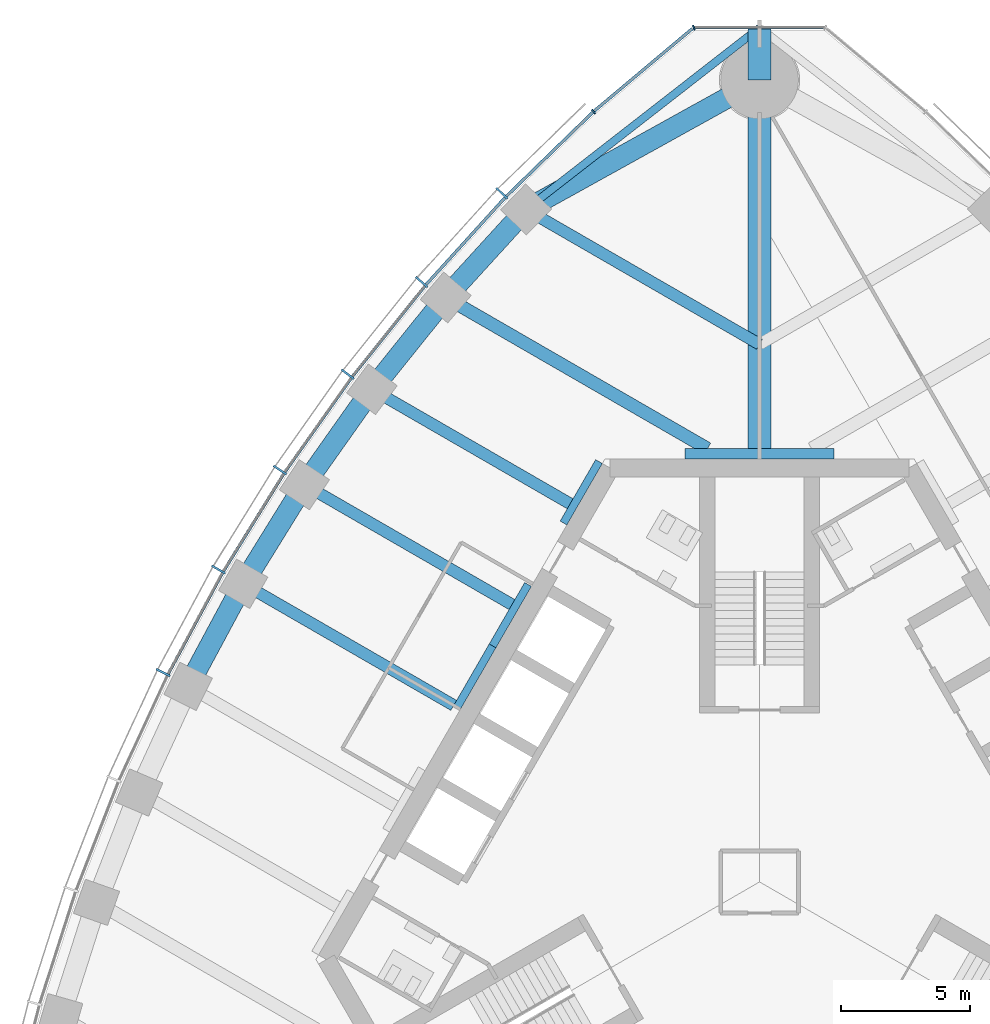
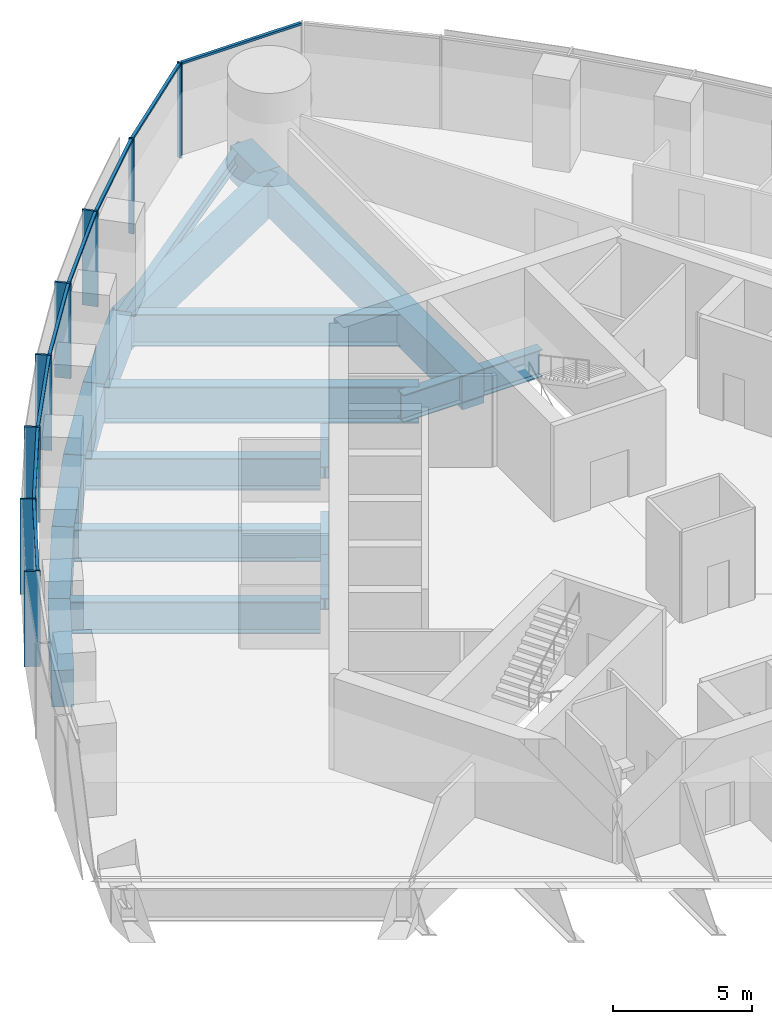
# One storey, part 5 of 15: 19 beams, 16 members, 2 elements without a shape of their own.
"""IFC4 building model written with IfcOpenShell, lengths in metres."""

from ifc_helpers import new_model, si_unit, direction, frame, origin, origin_2d, place, context, subcontext, project, spatial, rectangle, i_section, extrude, material, material_profile, profile_set, type_object, element, aggregate, save


model = new_model("IFC4")

# Units and contexts
model_context = context("Model", 3, precision=1e-05, world=origin(), true_north=direction((0.0, 1.0)))
body_context = subcontext(model_context, "Body", "Model", "MODEL_VIEW")
ifc_project = project(units=[si_unit("LENGTHUNIT", "METRE"), si_unit("AREAUNIT", "SQUARE_METRE"), si_unit("VOLUMEUNIT", "CUBIC_METRE"), si_unit("PLANEANGLEUNIT", "RADIAN"), si_unit("MASSUNIT", "GRAM", prefix="KILO")], contexts=[model_context])

# Site, building, storey
site_placement = place(None, origin())
site = spatial("IfcSite", under=ifc_project, at=site_placement, CompositionType="ELEMENT")
building_placement = place(site_placement, origin())
building = spatial("IfcBuilding", under=site, at=building_placement, Name="Trefoil Bronze Tower", CompositionType="ELEMENT")
storey_placement = place(building_placement, frame((0.0, 0.0, 276.300048828125)))
storey = spatial("IfcBuildingStorey", under=building, at=storey_placement, Name="L63", CompositionType="ELEMENT", Elevation=276.300048828125)

# Curtain wall, members
ifc_material_1 = material(Name="Tinted solar-control glass", Category="glass")
curtain_wall_type_1 = type_object("IfcCurtainWallType", Name="Bronze office curtain wall", PredefinedType="USERDEFINED", material=ifc_material_1)
curtain_wall_1_placement = place(storey_placement, origin())
curtain_wall_1 = element("IfcCurtainWall", 1, at=curtain_wall_1_placement, inside=storey, type_object=curtain_wall_type_1, Name="CW-A L63 F3", ObjectType="CURTAIN WALL", PredefinedType="USERDEFINED")
ifc_material_2 = material(Name="Bronze-finish aluminium", Category="aluminium")
ifc_material_profile_1 = material_profile(ifc_material_2, rectangle(XDim=0.60009765625, YDim=0.080078125, at=origin_2d()), Name="CW-A mullion")
ifc_profile_set_1 = profile_set([ifc_material_profile_1], Name="Bronze-finish aluminium")
member_type_1 = type_object("IfcMemberType", Name="Bronze office curtain wall mullion", PredefinedType="MULLION", material=ifc_profile_set_1)
member_1_placement = place(storey_placement, frame((-9.957275390625, 26.617431640625, 0.0), z_axis=(0.0, 0.0, 1.0), x_axis=(0.719001349715, -0.695008675564, 0.0)))
member_1 = element("IfcMember", 2, at=member_1_placement, type_object=member_type_1, Name="CW-A L63 F3 mullion 2", PredefinedType="MULLION", context=body_context, shape_type="SweptSolid", body=[
    extrude(rectangle(XDim=0.60009765625, YDim=0.080078125, at=origin_2d()), origin(), (0.0, 0.0, 1.0), 4.179931640625),
])
member_2_placement = place(storey_placement, frame((-13.064453125, 23.194091796875, 0.0), z_axis=(0.0, 0.0, 1.0), x_axis=(0.760781190165, -0.649008459646, 0.0)))
member_2 = element("IfcMember", 3, at=member_2_placement, type_object=member_type_1, Name="CW-A L63 F3 mullion 3", PredefinedType="MULLION", context=body_context, shape_type="SweptSolid", body=[
    extrude(rectangle(XDim=0.60009765625, YDim=0.080078125, at=origin_2d()), origin(), (0.0, 0.0, 1.0), 4.179931640625),
])
member_3_placement = place(storey_placement, frame((-15.922607421875, 19.627197265625, 0.0), z_axis=(0.0, 0.0, 1.0), x_axis=(0.799096076136, -0.601203344222, 0.0)))
member_3 = element("IfcMember", 4, at=member_3_placement, type_object=member_type_1, Name="CW-A L63 F3 mullion 4", PredefinedType="MULLION", context=body_context, shape_type="SweptSolid", body=[
    extrude(rectangle(XDim=0.60009765625, YDim=0.080078125, at=origin_2d()), origin(), (0.0, 0.0, 1.0), 4.179931640625),
])
member_4_placement = place(storey_placement, frame((-18.538330078125, 15.920166015625, 0.0), z_axis=(0.0, 0.0, 1.0), x_axis=(0.834159158089, -0.551523797289, 0.0)))
member_4 = element("IfcMember", 5, at=member_4_placement, type_object=member_type_1, Name="CW-A L63 F3 mullion 5", PredefinedType="MULLION", context=body_context, shape_type="SweptSolid", body=[
    extrude(rectangle(XDim=0.60009765625, YDim=0.080078125, at=origin_2d()), origin(), (0.0, 0.0, 1.0), 4.179931640625),
])
member_5_placement = place(storey_placement, frame((-20.916015625, 12.07568359375, 0.0), z_axis=(0.0, 0.0, 1.0), x_axis=(0.866025403784, -0.5, 0.0)))
member_5 = element("IfcMember", 6, at=member_5_placement, type_object=member_type_1, Name="CW-A L63 F3 mullion 6", PredefinedType="MULLION", context=body_context, shape_type="SweptSolid", body=[
    extrude(rectangle(XDim=0.60009765625, YDim=0.080078125, at=origin_2d()), origin(), (0.0, 0.0, 1.0), 4.179931640625),
])
member_6_placement = place(storey_placement, frame((-23.056396484375, 8.094482421875, 0.0), z_axis=(0.0, 0.0, 1.0), x_axis=(0.894713198289, -0.44664112306, 0.0)))
member_6 = element("IfcMember", 7, at=member_6_placement, type_object=member_type_1, Name="CW-A L63 F3 mullion 7", PredefinedType="MULLION", context=body_context, shape_type="SweptSolid", body=[
    extrude(rectangle(XDim=0.60009765625, YDim=0.080078125, at=origin_2d()), origin(), (0.0, 0.0, 1.0), 4.179931640625),
])
ifc_material_3 = material(Name="Bronze-finish aluminium", Category="aluminium")
ifc_material_profile_2 = material_profile(ifc_material_3, rectangle(XDim=0.1201171875, YDim=0.10009765625, at=origin_2d()), Name="CW-A transom")
ifc_profile_set_2 = profile_set([ifc_material_profile_2], Name="Bronze-finish aluminium")
member_type_2 = type_object("IfcMemberType", Name="Bronze office curtain wall transom", PredefinedType="USERDEFINED", material=ifc_profile_set_2)
member_7_placement = place(storey_placement, frame((-6.44921875, 29.7470703125, 4.1298828125), z_axis=(-0.717224617883, -0.696842053484, 0.0), x_axis=(0.696842053484, -0.717224617883, 0.0)))
member_7 = element("IfcMember", 8, at=member_7_placement, type_object=member_type_2, Name="CW-A L63 F3 transom 1", ObjectType="TRANSOM", PredefinedType="USERDEFINED", context=body_context, shape_type="SweptSolid", body=[
    extrude(rectangle(XDim=0.1201171875, YDim=0.10009765625, at=origin_2d()), origin(), (0.0, 0.0, 1.0), 4.6474609375),
])
member_8_placement = place(storey_placement, frame((-9.842529296875, 26.446533203125, 4.1298828125), z_axis=(-0.672068269674, -0.740489190264, 0.0), x_axis=(0.740489190264, -0.672068269674, 0.0)))
member_8 = element("IfcMember", 9, at=member_8_placement, type_object=member_type_2, Name="CW-A L63 F3 transom 2", ObjectType="TRANSOM", PredefinedType="USERDEFINED", context=body_context, shape_type="SweptSolid", body=[
    extrude(rectangle(XDim=0.1201171875, YDim=0.10009765625, at=origin_2d()), origin(), (0.0, 0.0, 1.0), 4.5244140625),
])
member_9_placement = place(storey_placement, frame((-12.939208984375, 23.03076171875, 4.1298828125), z_axis=(-0.625300648488, -0.780383943325, 0.0), x_axis=(0.780383943325, -0.625300648488, 0.0)))
member_9 = element("IfcMember", 10, at=member_9_placement, type_object=member_type_2, Name="CW-A L63 F3 transom 3", ObjectType="TRANSOM", PredefinedType="USERDEFINED", context=body_context, shape_type="SweptSolid", body=[
    extrude(rectangle(XDim=0.1201171875, YDim=0.10009765625, at=origin_2d()), origin(), (0.0, 0.0, 1.0), 4.472412109375),
])
member_10_placement = place(storey_placement, frame((-15.78759765625, 19.4716796875, 4.1298828125), z_axis=(-0.5765665752, -0.817050172488, 0.0), x_axis=(0.817050172488, -0.5765665752, 0.0)))
member_10 = element("IfcMember", 11, at=member_10_placement, type_object=member_type_2, Name="CW-A L63 F3 transom 4", ObjectType="TRANSOM", PredefinedType="USERDEFINED", context=body_context, shape_type="SweptSolid", body=[
    extrude(rectangle(XDim=0.1201171875, YDim=0.10009765625, at=origin_2d()), origin(), (0.0, 0.0, 1.0), 4.4384765625),
])
member_11_placement = place(storey_placement, frame((-18.394287109375, 15.7734375, 4.1298828125), z_axis=(-0.525978235299, -0.850498028212, 0.0), x_axis=(0.850498028212, -0.525978235299, 0.0)))
member_11 = element("IfcMember", 12, at=member_11_placement, type_object=member_type_2, Name="CW-A L63 F3 transom 5", ObjectType="TRANSOM", PredefinedType="USERDEFINED", context=body_context, shape_type="SweptSolid", body=[
    extrude(rectangle(XDim=0.1201171875, YDim=0.10009765625, at=origin_2d()), origin(), (0.0, 0.0, 1.0), 4.422119140625),
])
member_12_placement = place(storey_placement, frame((-20.76318359375, 11.93798828125, 4.1298828125), z_axis=(-0.473540024981, -0.880772300167, 0.0), x_axis=(0.880772300167, -0.473540024981, 0.0)))
member_12 = element("IfcMember", 13, at=member_12_placement, type_object=member_type_2, Name="CW-A L63 F3 transom 6", ObjectType="TRANSOM", PredefinedType="USERDEFINED", context=body_context, shape_type="SweptSolid", body=[
    extrude(rectangle(XDim=0.1201171875, YDim=0.10009765625, at=origin_2d()), origin(), (0.0, 0.0, 1.0), 4.422119140625),
])
aggregate(curtain_wall_1, [member_1, member_2, member_3, member_4, member_5, member_6, member_7, member_8, member_9, member_10, member_11, member_12])

ifc_material_4 = material(Name="Tinted solar-control glass", Category="glass")
curtain_wall_type_2 = type_object("IfcCurtainWallType", Name="Bronze rounded corner curtain wall", PredefinedType="USERDEFINED", material=ifc_material_4)
curtain_wall_2_placement = place(storey_placement, origin())
curtain_wall_2 = element("IfcCurtainWall", 14, at=curtain_wall_2_placement, inside=storey, type_object=curtain_wall_type_2, Name="CW-B L63 K2", ObjectType="CURTAIN WALL", PredefinedType="USERDEFINED")
ifc_material_5 = material(Name="Bronze-finish aluminium", Category="aluminium")
ifc_material_profile_3 = material_profile(ifc_material_5, rectangle(XDim=0.199951171875, YDim=0.06005859375, at=origin_2d()), Name="CW-B mullion")
ifc_profile_set_3 = profile_set([ifc_material_profile_3], Name="Bronze-finish aluminium")
member_type_3 = type_object("IfcMemberType", Name="Bronze rounded corner curtain wall mullion", PredefinedType="MULLION", material=ifc_profile_set_3)
member_13_placement = place(storey_placement, frame((-2.542236328125, 33.021484375, 0.0), z_axis=(0.0, 0.0, 1.0), x_axis=(0.342020143326, -0.939692620786, 0.0)))
member_13 = element("IfcMember", 15, at=member_13_placement, type_object=member_type_3, Name="CW-B L63 K2 mullion 3", PredefinedType="MULLION", context=body_context, shape_type="SweptSolid", body=[
    extrude(rectangle(XDim=0.199951171875, YDim=0.06005859375, at=origin_2d()), origin(), (0.0, 0.0, 1.0), 4.179931640625),
])
member_14_placement = place(storey_placement, frame((-6.4150390625, 29.77978515625, 0.0), z_axis=(0.0, 0.0, 1.0), x_axis=(0.642787609687, -0.766044443119, 0.0)))
member_14 = element("IfcMember", 16, at=member_14_placement, type_object=member_type_3, Name="CW-B L63 K2 mullion 4", PredefinedType="MULLION", context=body_context, shape_type="SweptSolid", body=[
    extrude(rectangle(XDim=0.199951171875, YDim=0.06005859375, at=origin_2d()), origin(), (0.0, 0.0, 1.0), 4.179931640625),
])
ifc_material_6 = material(Name="Bronze-finish aluminium", Category="aluminium")
ifc_material_profile_4 = material_profile(ifc_material_6, rectangle(XDim=0.1201171875, YDim=0.10009765625, at=origin_2d()), Name="CW-B transom")
ifc_profile_set_4 = profile_set([ifc_material_profile_4], Name="Bronze-finish aluminium")
member_type_4 = type_object("IfcMemberType", Name="Bronze rounded corner curtain wall transom", PredefinedType="USERDEFINED", material=ifc_profile_set_4)
member_15_placement = place(storey_placement, frame((2.47802734375, 33.027587890625, 4.1298828125), z_axis=(-1.0, 0.0, 0.0), x_axis=(0.0, -1.0, 0.0)))
member_15 = element("IfcMember", 17, at=member_15_placement, type_object=member_type_4, Name="CW-B L63 K2 transom 2", ObjectType="TRANSOM", PredefinedType="USERDEFINED", context=body_context, shape_type="SweptSolid", body=[
    extrude(rectangle(XDim=0.1201171875, YDim=0.10009765625, at=origin_2d()), origin(), (0.0, 0.0, 1.0), 4.9560546875),
])
member_16_placement = place(storey_placement, frame((-2.595458984375, 32.98486328125, 4.1298828125), z_axis=(-0.766040522511, -0.642792282056, 0.0), x_axis=(0.642792282056, -0.766040522511, 0.0)))
member_16 = element("IfcMember", 18, at=member_16_placement, type_object=member_type_4, Name="CW-B L63 K2 transom 3", ObjectType="TRANSOM", PredefinedType="USERDEFINED", context=body_context, shape_type="SweptSolid", body=[
    extrude(rectangle(XDim=0.1201171875, YDim=0.10009765625, at=origin_2d()), origin(), (0.0, 0.0, 1.0), 4.9560546875),
])
aggregate(curtain_wall_2, [member_13, member_14, member_15, member_16])

# Beams
ifc_material_7 = material(Name="Steel C355", Category="steel")
ifc_material_profile_5 = material_profile(ifc_material_7, i_section(OverallWidth=0.300048828125, OverallDepth=0.5, WebThickness=0.014404296875, FlangeThickness=0.028076171875, FilletRadius=0.027099609375, at=origin_2d()), Name="HEB 500")
ifc_profile_set_5 = profile_set([ifc_material_profile_5], Name="Steel C355")
beam_type_1 = type_object("IfcBeamType", Name="Core seat beam HEB 500", PredefinedType="BEAM", material=ifc_profile_set_5)
for number, where, z_axis, x_axis, name in (
    (19, (-6.20654296875, 16.25, -0.449951171875), (-0.499969057507, -0.866043267704, 0.0), (0.866043267704, -0.499969057507, 0.0), "Core seat beam F3/-2 L63"),
    (20, (-8.948974609375, 11.5, -0.449951171875), (-0.499969057507, -0.866043267704, 0.0), (0.866043267704, -0.499969057507, 0.0), "Core seat beam F3/-1 L63"),
    (21, (-10.320068359375, 9.125, -0.449951171875), (-0.500035825175, -0.866004719122, 0.0), (0.866004719122, -0.500035825175, 0.0), "Core seat beam F3/+0 L63"),
):
    element("IfcBeam", number, at=place(storey_placement, frame(where, z_axis=z_axis, x_axis=x_axis)), inside=storey, type_object=beam_type_1, Name=name, PredefinedType="BEAM", context=body_context, shape_type="SweptSolid", body=[
        extrude(i_section(OverallWidth=0.300048828125, OverallDepth=0.5, WebThickness=0.014404296875, FlangeThickness=0.028076171875, FilletRadius=0.027099609375, at=origin_2d()), origin(), (0.0, 0.0, 1.0), 2.742431640625),
    ])
ifc_material_8 = material(Name="Steel C355", Category="steel")
ifc_material_profile_6 = material_profile(ifc_material_8, i_section(OverallWidth=0.39990234375, OverallDepth=1.199951171875, WebThickness=0.02001953125, FlangeThickness=0.0400390625, FilletRadius=0.010009765625, at=origin_2d()), Name="WPG 1200")
ifc_profile_set_6 = profile_set([ifc_material_profile_6], Name="Steel C355")
beam_type_2 = type_object("IfcBeamType", Name="Core seat beam WPG 1200", PredefinedType="BEAM", material=ifc_profile_set_6)
for number, where, z_axis, x_axis, name in (
    (22, (2.88671875, 16.550048828125, -0.800048828125), (-1.0, 0.0, 0.0), (0.0, -1.0, 0.0), "Core seat beam F2/+3 L63"),
    (23, (0.0, 16.550048828125, -0.800048828125), (-1.0, 0.0, 0.0), (0.0, -1.0, 0.0), "Core seat beam F3/-3 L63"),
):
    element("IfcBeam", number, at=place(storey_placement, frame(where, z_axis=z_axis, x_axis=x_axis)), inside=storey, type_object=beam_type_2, Name=name, PredefinedType="BEAM", context=body_context, shape_type="SweptSolid", body=[
        extrude(i_section(OverallWidth=0.39990234375, OverallDepth=1.199951171875, WebThickness=0.02001953125, FlangeThickness=0.0400390625, FilletRadius=0.010009765625, at=origin_2d()), origin(), (0.0, 0.0, 1.0), 2.88671875),
    ])
ifc_material_9 = material(Name="Concrete B80", Category="concrete")
ifc_material_profile_7 = material_profile(ifc_material_9, rectangle(XDim=0.89990234375, YDim=1.5, at=origin_2d()), Name="RC 900x1500")
ifc_profile_set_7 = profile_set([ifc_material_profile_7], Name="Concrete B80")
beam_type_3 = type_object("IfcBeamType", Name="Corner cantilever RC 900x1500", PredefinedType="BEAM", material=ifc_profile_set_7)
beam_1_placement = place(storey_placement, frame((0.0, 31.0, -0.949951171875), z_axis=(0.0, 1.0, 0.0), x_axis=(-1.0, 0.0, 0.0)))
element("IfcBeam", 24, at=beam_1_placement, inside=storey, type_object=beam_type_3, Name="Corner cantilever K2 L63", PredefinedType="BEAM", context=body_context, shape_type="SweptSolid", body=[
    extrude(rectangle(XDim=0.89990234375, YDim=1.5, at=origin_2d()), origin(), (0.0, 0.0, 1.0), 2.019775390625),
])
ifc_material_10 = material(Name="Steel C355", Category="steel")
ifc_material_profile_8 = material_profile(ifc_material_10, i_section(OverallWidth=0.300048828125, OverallDepth=0.60009765625, WebThickness=0.015380859375, FlangeThickness=0.030029296875, FilletRadius=0.027099609375, at=origin_2d()), Name="HEB 600")
ifc_profile_set_8 = profile_set([ifc_material_profile_8], Name="Steel C355")
beam_type_4 = type_object("IfcBeamType", Name="Corner edge beam HEB 600", PredefinedType="BEAM", material=ifc_profile_set_8)
beam_2_placement = place(storey_placement, frame((-9.02734375, 25.99658203125, -0.5), z_axis=(0.789270604977, 0.614045529354, 0.0), x_axis=(-0.614045529354, 0.789270604977, 0.0)))
element("IfcBeam", 25, at=beam_2_placement, inside=storey, type_object=beam_type_4, Name="Corner edge beam F3B L63", PredefinedType="BEAM", context=body_context, shape_type="SweptSolid", body=[
    extrude(i_section(OverallWidth=0.300048828125, OverallDepth=0.60009765625, WebThickness=0.015380859375, FlangeThickness=0.030029296875, FilletRadius=0.027099609375, at=origin_2d()), origin(), (0.0, 0.0, 1.0), 11.4375),
])
ifc_material_11 = material(Name="Concrete B80", Category="concrete")
ifc_material_profile_9 = material_profile(ifc_material_11, rectangle(XDim=0.89990234375, YDim=1.5, at=origin_2d()), Name="RC 900x1500")
ifc_profile_set_9 = profile_set([ifc_material_profile_9], Name="Concrete B80")
beam_type_5 = type_object("IfcBeamType", Name="Corner girder RC 900x1500", PredefinedType="BEAM", material=ifc_profile_set_9)
beam_3_placement = place(storey_placement, frame((0.0, 16.35009765625, -0.949951171875), z_axis=(0.0, 1.0, 0.0), x_axis=(-1.0, 0.0, 0.0)))
element("IfcBeam", 26, at=beam_3_placement, inside=storey, type_object=beam_type_5, Name="Corner girder K2 L63", PredefinedType="BEAM", context=body_context, shape_type="SweptSolid", body=[
    extrude(rectangle(XDim=0.89990234375, YDim=1.5, at=origin_2d()), origin(), (0.0, 0.0, 1.0), 14.64990234375),
])
ifc_material_12 = material(Name="Concrete B80", Category="concrete")
ifc_material_profile_10 = material_profile(ifc_material_12, rectangle(XDim=0.800048828125, YDim=1.60009765625, at=origin_2d()), Name="RC 800x1600")
ifc_profile_set_10 = profile_set([ifc_material_profile_10], Name="Concrete B80")
beam_type_6 = type_object("IfcBeamType", Name="End spandrel beam RC 800x1600", PredefinedType="SPANDREL", material=ifc_profile_set_10)
beam_4_placement = place(storey_placement, frame((0.0, 31.0, -1.0), z_axis=(-0.874641085074, -0.484771051426, 0.0), x_axis=(0.484771051426, -0.874641085074, 0.0)))
element("IfcBeam", 27, at=beam_4_placement, inside=storey, type_object=beam_type_6, Name="Spandrel F3.1 L63", PredefinedType="SPANDREL", context=body_context, shape_type="SweptSolid", body=[
    extrude(rectangle(XDim=0.800048828125, YDim=1.60009765625, at=origin_2d()), origin(), (0.0, 0.0, 1.0), 10.3212890625),
])
ifc_material_13 = material(Name="Steel C355", Category="steel")
ifc_material_profile_11 = material_profile(ifc_material_13, i_section(OverallWidth=0.449951171875, OverallDepth=1.39990234375, WebThickness=0.02294921875, FlangeThickness=0.044921875, FilletRadius=0.011962890625, at=origin_2d()), Name="WPG 1400")
ifc_profile_set_11 = profile_set([ifc_material_profile_11], Name="Steel C355")
beam_type_7 = type_object("IfcBeamType", Name="Floor beam WPG 1400", PredefinedType="BEAM", material=ifc_profile_set_11)
beam_5_placement = place(storey_placement, frame((-9.02734375, 25.99658203125, -0.900146484375), z_axis=(0.866026453994, -0.499998180979, 0.0), x_axis=(0.499998180979, 0.866026453994, 0.0)))
element("IfcBeam", 28, at=beam_5_placement, inside=storey, type_object=beam_type_7, Name="Floor beam F3/-4 L63", PredefinedType="BEAM", context=body_context, shape_type="SweptSolid", body=[
    extrude(i_section(OverallWidth=0.449951171875, OverallDepth=1.39990234375, WebThickness=0.02294921875, FlangeThickness=0.044921875, FilletRadius=0.011962890625, at=origin_2d()), origin(), (0.0, 0.0, 1.0), 10.423828125),
])
beam_6_placement = place(storey_placement, frame((-14.98486328125, 19.043701171875, -0.900146484375), z_axis=(0.866025701847, -0.499999483739, 0.0), x_axis=(0.499999483739, 0.866025701847, 0.0)))
element("IfcBeam", 29, at=beam_6_placement, inside=storey, type_object=beam_type_7, Name="Floor beam F3/-2 L63", PredefinedType="BEAM", context=body_context, shape_type="SweptSolid", body=[
    extrude(i_section(OverallWidth=0.449951171875, OverallDepth=1.39990234375, WebThickness=0.02294921875, FlangeThickness=0.044921875, FilletRadius=0.011962890625, at=origin_2d()), origin(), (0.0, 0.0, 1.0), 8.84912109375),
])
beam_7_placement = place(storey_placement, frame((-17.593994140625, 15.35400390625, -0.900146484375), z_axis=(0.866028909405, -0.499993928037, 0.0), x_axis=(0.499993928037, 0.866028909405, 0.0)))
element("IfcBeam", 30, at=beam_7_placement, inside=storey, type_object=beam_type_7, Name="Floor beam F3/-1 L63", PredefinedType="BEAM", context=body_context, shape_type="SweptSolid", body=[
    extrude(i_section(OverallWidth=0.449951171875, OverallDepth=1.39990234375, WebThickness=0.02294921875, FlangeThickness=0.044921875, FilletRadius=0.011962890625, at=origin_2d()), origin(), (0.0, 0.0, 1.0), 9.263671875),
])
beam_8_placement = place(storey_placement, frame((-19.96337890625, 11.52587890625, -0.900146484375), z_axis=(0.866021259968, -0.500007177232, 0.0), x_axis=(0.500007177232, 0.866021259968, 0.0)))
element("IfcBeam", 31, at=beam_8_placement, inside=storey, type_object=beam_type_7, Name="Floor beam F3/+0 L63", PredefinedType="BEAM", context=body_context, shape_type="SweptSolid", body=[
    extrude(i_section(OverallWidth=0.449951171875, OverallDepth=1.39990234375, WebThickness=0.02294921875, FlangeThickness=0.044921875, FilletRadius=0.011962890625, at=origin_2d()), origin(), (0.0, 0.0, 1.0), 9.401611328125),
])
ifc_material_14 = material(Name="Steel C355", Category="steel")
ifc_material_profile_12 = material_profile(ifc_material_14, i_section(OverallWidth=0.5, OverallDepth=1.60009765625, WebThickness=0.02587890625, FlangeThickness=0.050048828125, FilletRadius=0.011962890625, at=origin_2d()), Name="WPG 1600")
ifc_profile_set_12 = profile_set([ifc_material_profile_12], Name="Steel C355")
beam_type_8 = type_object("IfcBeamType", Name="Floor beam WPG 1600", PredefinedType="BEAM", material=ifc_profile_set_12)
beam_9_placement = place(storey_placement, frame((-12.131591796875, 22.5927734375, -1.0), z_axis=(0.866017882563, -0.500013026912, 0.0), x_axis=(0.500013026912, 0.866017882563, 0.0)))
element("IfcBeam", 32, at=beam_9_placement, inside=storey, type_object=beam_type_8, Name="Floor beam F3/-3 L63", PredefinedType="BEAM", context=body_context, shape_type="SweptSolid", body=[
    extrude(i_section(OverallWidth=0.5, OverallDepth=1.60009765625, WebThickness=0.02587890625, FlangeThickness=0.050048828125, FilletRadius=0.011962890625, at=origin_2d()), origin(), (0.0, 0.0, 1.0), 11.685302734375),
])
ifc_material_15 = material(Name="Concrete B80", Category="concrete")
ifc_material_profile_13 = material_profile(ifc_material_15, rectangle(XDim=0.800048828125, YDim=1.60009765625, at=origin_2d()), Name="RC 800x1600")
ifc_profile_set_13 = profile_set([ifc_material_profile_13], Name="Concrete B80")
beam_type_9 = type_object("IfcBeamType", Name="Spandrel beam RC 800x1600", PredefinedType="SPANDREL", material=ifc_profile_set_13)
beam_10_placement = place(storey_placement, frame((-9.02734375, 25.99658203125, -1.0), z_axis=(-0.673845775847, -0.738872025707, 0.0), x_axis=(0.738872025707, -0.673845775847, 0.0)))
element("IfcBeam", 33, at=beam_10_placement, inside=storey, type_object=beam_type_9, Name="Spandrel F3.2 L63", PredefinedType="SPANDREL", context=body_context, shape_type="SweptSolid", body=[
    extrude(rectangle(XDim=0.800048828125, YDim=1.60009765625, at=origin_2d()), origin(), (0.0, 0.0, 1.0), 4.606689453125),
])
beam_11_placement = place(storey_placement, frame((-12.131591796875, 22.5927734375, -1.0), z_axis=(-0.626569682592, -0.779365403939, 0.0), x_axis=(0.779365403939, -0.626569682592, 0.0)))
element("IfcBeam", 34, at=beam_11_placement, inside=storey, type_object=beam_type_9, Name="Spandrel F3.3 L63", PredefinedType="SPANDREL", context=body_context, shape_type="SweptSolid", body=[
    extrude(rectangle(XDim=0.800048828125, YDim=1.60009765625, at=origin_2d()), origin(), (0.0, 0.0, 1.0), 4.5537109375),
])
beam_12_placement = place(storey_placement, frame((-14.98486328125, 19.043701171875, -1.0), z_axis=(-0.577368105169, -0.816483968693, 0.0), x_axis=(0.816483968693, -0.577368105169, 0.0)))
element("IfcBeam", 35, at=beam_12_placement, inside=storey, type_object=beam_type_9, Name="Spandrel F3.4 L63", PredefinedType="SPANDREL", context=body_context, shape_type="SweptSolid", body=[
    extrude(rectangle(XDim=0.800048828125, YDim=1.60009765625, at=origin_2d()), origin(), (0.0, 0.0, 1.0), 4.51904296875),
])
beam_13_placement = place(storey_placement, frame((-17.593994140625, 15.35400390625, -1.0), z_axis=(-0.526289271956, -0.850305593433, 0.0), x_axis=(0.850305593433, -0.526289271956, 0.0)))
element("IfcBeam", 36, at=beam_13_placement, inside=storey, type_object=beam_type_9, Name="Spandrel F3.5 L63", PredefinedType="SPANDREL", context=body_context, shape_type="SweptSolid", body=[
    extrude(rectangle(XDim=0.800048828125, YDim=1.60009765625, at=origin_2d()), origin(), (0.0, 0.0, 1.0), 4.501953125),
])
beam_14_placement = place(storey_placement, frame((-19.96337890625, 11.52587890625, -1.0), z_axis=(-0.473245885676, -0.880930378458, 0.0), x_axis=(0.880930378458, -0.473245885676, 0.0)))
element("IfcBeam", 37, at=beam_14_placement, inside=storey, type_object=beam_type_9, Name="Spandrel F3.6 L63", PredefinedType="SPANDREL", context=body_context, shape_type="SweptSolid", body=[
    extrude(rectangle(XDim=0.800048828125, YDim=1.60009765625, at=origin_2d()), origin(), (0.0, 0.0, 1.0), 4.502197265625),
])

save(model, "model.ifc")
